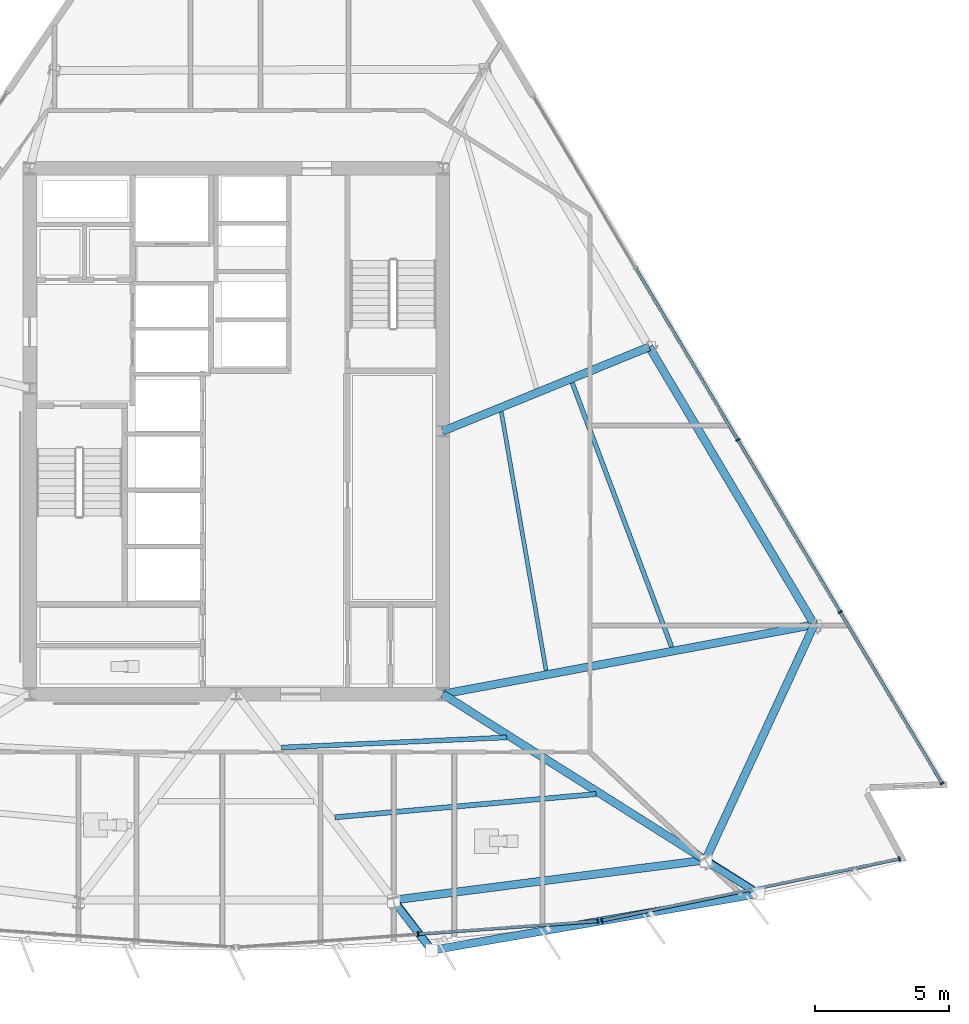
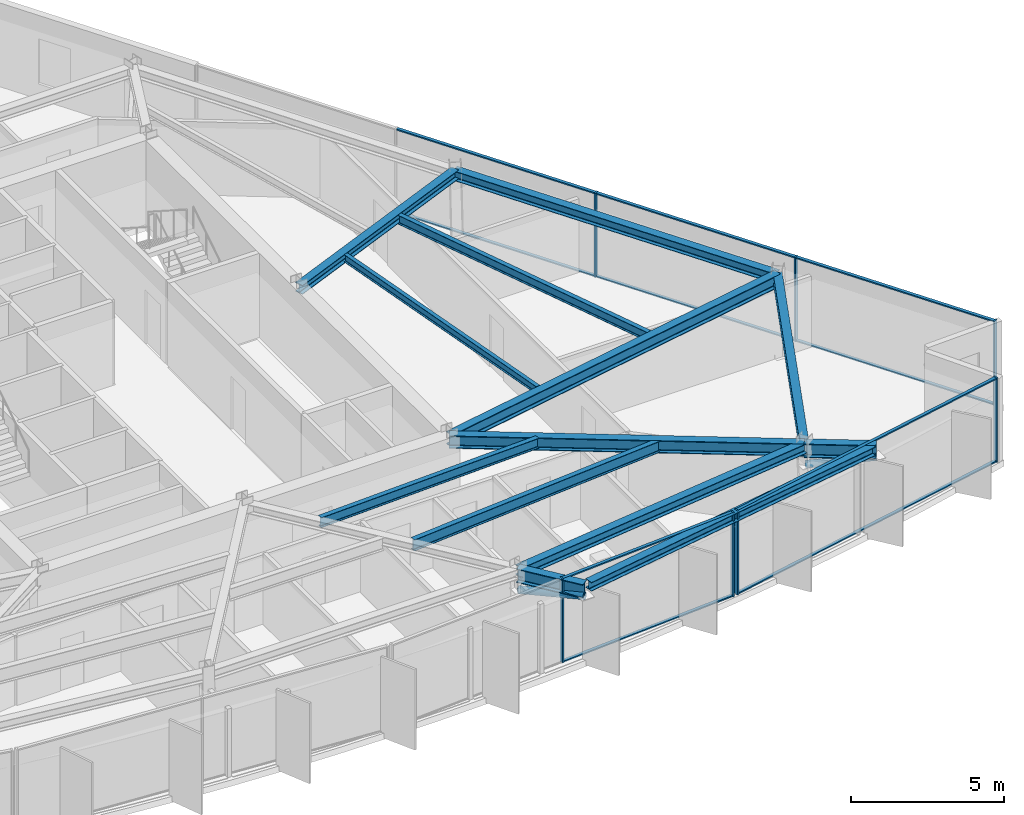
# One storey, part 5 of 15: 19 members, 13 beams, 3 elements without a shape of their own.
"""IFC4 building model written with IfcOpenShell, lengths in metres."""

from ifc_helpers import new_model, si_unit, direction, frame, origin, origin_2d, place, context, subcontext, project, spatial, rectangle, hollow_circle, i_section, extrude, material, material_profile, profile_set, type_object, element, aggregate, save


model = new_model("IFC4")

# Units and contexts
model_context = context("Model", 3, precision=1e-05, world=origin(), true_north=direction((0.0, 1.0)))
body_context = subcontext(model_context, "Body", "Model", "MODEL_VIEW")
ifc_project = project(units=[si_unit("LENGTHUNIT", "METRE"), si_unit("AREAUNIT", "SQUARE_METRE"), si_unit("VOLUMEUNIT", "CUBIC_METRE"), si_unit("PLANEANGLEUNIT", "RADIAN"), si_unit("MASSUNIT", "GRAM", prefix="KILO")], contexts=[model_context])

# Site, building, storey
site_placement = place(None, origin())
site = spatial("IfcSite", under=ifc_project, at=site_placement, CompositionType="ELEMENT")
building_placement = place(site_placement, origin())
building = spatial("IfcBuilding", under=site, at=building_placement, Name="Savorim Split Tower", CompositionType="ELEMENT")
storey_placement = place(building_placement, frame((0.0, 0.0, 167.39990234375)))
storey = spatial("IfcBuildingStorey", under=building, at=storey_placement, Name="L44", CompositionType="ELEMENT", Elevation=167.39990234375)

# Beams
ifc_material_1 = material(Name="Steel S355", Category="steel")
ifc_material_profile_1 = material_profile(ifc_material_1, i_section(OverallWidth=0.14990234375, OverallDepth=0.300048828125, WebThickness=0.007080078125, FlangeThickness=0.0107421875, FilletRadius=0.014892578125, at=origin_2d()), Name="IPE 300")
ifc_profile_set_1 = profile_set([ifc_material_profile_1], Name="Steel S355")
beam_type_1 = type_object("IfcBeamType", Name="BM-JST-IPE300", PredefinedType="JOIST", material=ifc_profile_set_1)
beam_1_placement = place(storey_placement, frame((11.55029296875, -8.51708984375, 3.2001953125), z_axis=(-0.170603874353, 0.985339696783, 0.0), x_axis=(-0.985339696783, -0.170603874353, 0.0)))
element("IfcBeam", 1, at=beam_1_placement, inside=storey, type_object=beam_type_1, Name="L44 Secondary Floor Joist JS-08", PredefinedType="JOIST", context=body_context, shape_type="SweptSolid", body=[
    extrude(i_section(OverallWidth=0.14990234375, OverallDepth=0.300048828125, WebThickness=0.007080078125, FlangeThickness=0.0107421875, FilletRadius=0.014892578125, at=origin_2d()), origin(), (0.0, 0.0, 1.0), 9.782470703125),
])
ifc_material_profile_2 = material_profile(ifc_material_1, i_section(OverallWidth=0.169921875, OverallDepth=0.360107421875, WebThickness=0.008056640625, FlangeThickness=0.0126953125, FilletRadius=0.01806640625, at=origin_2d()), Name="IPE 360")
ifc_profile_set_2 = profile_set([ifc_material_profile_2], Name="Steel S355")
beam_type_2 = type_object("IfcBeamType", Name="BM-JST-IPE360", PredefinedType="JOIST", material=ifc_profile_set_2)
beam_2_placement = place(storey_placement, frame((16.229736328125, -7.644287109375, 3.170166015625), z_axis=(-0.352199382133, 0.935924994444, 0.0), x_axis=(-0.935924994444, -0.352199382133, 0.0)))
element("IfcBeam", 2, at=beam_2_placement, inside=storey, type_object=beam_type_2, Name="L44 Secondary Floor Joist JS-06", PredefinedType="JOIST", context=body_context, shape_type="SweptSolid", body=[
    extrude(i_section(OverallWidth=0.169921875, OverallDepth=0.360107421875, WebThickness=0.008056640625, FlangeThickness=0.0126953125, FilletRadius=0.01806640625, at=origin_2d()), origin(), (0.0, 0.0, 1.0), 10.516357421875),
])
ifc_material_profile_3 = material_profile(ifc_material_1, i_section(OverallWidth=0.179931640625, OverallDepth=0.39990234375, WebThickness=0.008544921875, FlangeThickness=0.013427734375, FilletRadius=0.02099609375, at=origin_2d()), Name="IPE 400")
ifc_profile_set_3 = profile_set([ifc_material_profile_3], Name="Steel S355")
beam_type_3 = type_object("IfcBeamType", Name="BM-JST-IPE400", PredefinedType="JOIST", material=ifc_profile_set_3)
beam_3_placement = place(storey_placement, frame((1.68359375, -11.389404296875, 3.150146484375), z_axis=(0.999010541647, 0.044474011269, 0.0), x_axis=(-0.044474011269, 0.999010541647, 0.0)))
element("IfcBeam", 3, at=beam_3_placement, inside=storey, type_object=beam_type_3, Name="L44 Secondary Floor Joist JS-05", PredefinedType="JOIST", context=body_context, shape_type="SweptSolid", body=[
    extrude(i_section(OverallWidth=0.179931640625, OverallDepth=0.39990234375, WebThickness=0.008544921875, FlangeThickness=0.013427734375, FilletRadius=0.02099609375, at=origin_2d()), origin(), (0.0, 0.0, 1.0), 8.409912109375),
])
ifc_material_profile_4 = material_profile(ifc_material_1, i_section(OverallWidth=0.18994140625, OverallDepth=0.449951171875, WebThickness=0.009521484375, FlangeThickness=0.0146484375, FilletRadius=0.02099609375, at=origin_2d()), Name="IPE 450")
ifc_profile_set_4 = profile_set([ifc_material_profile_4], Name="Steel S355")
beam_type_4 = type_object("IfcBeamType", Name="BM-JST-IPE450", PredefinedType="JOIST", material=ifc_profile_set_4)
beam_4_placement = place(storey_placement, frame((3.67626953125, -13.992919921875, 3.125), z_axis=(0.996055737227, 0.088729748887, 0.0), x_axis=(-0.088729748887, 0.996055737227, 0.0)))
element("IfcBeam", 4, at=beam_4_placement, inside=storey, type_object=beam_type_4, Name="L44 Secondary Floor Joist JS-04", PredefinedType="JOIST", context=body_context, shape_type="SweptSolid", body=[
    extrude(i_section(OverallWidth=0.18994140625, OverallDepth=0.449951171875, WebThickness=0.009521484375, FlangeThickness=0.0146484375, FilletRadius=0.02099609375, at=origin_2d()), origin(), (0.0, 0.0, 1.0), 9.776123046875),
])
ifc_material_profile_5 = material_profile(ifc_material_1, i_section(OverallWidth=0.300048828125, OverallDepth=0.360107421875, WebThickness=0.012451171875, FlangeThickness=0.0224609375, FilletRadius=0.027099609375, at=origin_2d()), Name="HEB 360")
ifc_profile_set_5 = profile_set([ifc_material_profile_5], Name="Steel S355")
beam_type_5 = type_object("IfcBeamType", Name="BM-PRI-HEB360", PredefinedType="BEAM", material=ifc_profile_set_5)
beam_5_placement = place(storey_placement, frame((15.39306640625, 3.541748046875, 3.170166015625), z_axis=(-0.925771895464, -0.378082527458, 0.0), x_axis=(0.378082527458, -0.925771895464, 0.0)))
element("IfcBeam", 5, at=beam_5_placement, inside=storey, type_object=beam_type_5, Name="L44 Primary Floor Girder RG-06", PredefinedType="BEAM", context=body_context, shape_type="SweptSolid", body=[
    extrude(i_section(OverallWidth=0.300048828125, OverallDepth=0.360107421875, WebThickness=0.012451171875, FlangeThickness=0.0224609375, FilletRadius=0.027099609375, at=origin_2d()), origin(), (0.0, 0.0, 1.0), 8.31005859375),
])
ifc_material_profile_6 = material_profile(ifc_material_1, i_section(OverallWidth=0.300048828125, OverallDepth=0.5, WebThickness=0.014404296875, FlangeThickness=0.028076171875, FilletRadius=0.027099609375, at=origin_2d()), Name="HEB 500")
ifc_profile_set_6 = profile_set([ifc_material_profile_6], Name="Steel S355")
beam_type_6 = type_object("IfcBeamType", Name="BM-PRI-HEB500", PredefinedType="BEAM", material=ifc_profile_set_6)
beam_6_placement = place(storey_placement, frame((17.488525390625, -15.585693359375, 3.10009765625), z_axis=(-0.845351096755, 0.534211122325, 0.0), x_axis=(-0.534211122325, -0.845351096755, 0.0)))
element("IfcBeam", 6, at=beam_6_placement, inside=storey, type_object=beam_type_6, Name="L44 Primary Floor Girder RG-04", PredefinedType="BEAM", context=body_context, shape_type="SweptSolid", body=[
    extrude(i_section(OverallWidth=0.300048828125, OverallDepth=0.5, WebThickness=0.014404296875, FlangeThickness=0.028076171875, FilletRadius=0.027099609375, at=origin_2d()), origin(), (0.0, 0.0, 1.0), 11.579345703125),
])
beam_7_placement = place(storey_placement, frame((21.54833984375, -6.809814453125, 3.10009765625), z_axis=(-0.982955461943, -0.183843846337, 0.0), x_axis=(0.183843846337, -0.982955461943, 0.0)))
element("IfcBeam", 7, at=beam_7_placement, inside=storey, type_object=beam_type_6, Name="L44 Primary Floor Girder RG-05", PredefinedType="BEAM", context=body_context, shape_type="SweptSolid", body=[
    extrude(i_section(OverallWidth=0.300048828125, OverallDepth=0.5, WebThickness=0.014404296875, FlangeThickness=0.028076171875, FilletRadius=0.027099609375, at=origin_2d()), origin(), (0.0, 0.0, 1.0), 14.088623046875),
])
ifc_material_profile_7 = material_profile(ifc_material_1, i_section(OverallWidth=0.300048828125, OverallDepth=0.550048828125, WebThickness=0.014892578125, FlangeThickness=0.029052734375, FilletRadius=0.027099609375, at=origin_2d()), Name="HEB 550")
ifc_profile_set_7 = profile_set([ifc_material_profile_7], Name="Steel S355")
beam_type_7 = type_object("IfcBeamType", Name="BM-PRI-HEB550", PredefinedType="BEAM", material=ifc_profile_set_7)
beam_8_placement = place(storey_placement, frame((5.861328125, -17.07861328125, 3.0751953125), z_axis=(0.6067441562, -0.79489718135, 0.0), x_axis=(0.79489718135, 0.6067441562, 0.0)))
element("IfcBeam", 8, at=beam_8_placement, inside=storey, type_object=beam_type_7, Name="L44 Cantilevered Lounge Rib 1", PredefinedType="BEAM", context=body_context, shape_type="SweptSolid", body=[
    extrude(i_section(OverallWidth=0.300048828125, OverallDepth=0.550048828125, WebThickness=0.014892578125, FlangeThickness=0.029052734375, FilletRadius=0.027099609375, at=origin_2d()), origin(), (0.0, 0.0, 1.0), 2.349853515625),
])
beam_9_placement = place(storey_placement, frame((17.488525390625, -15.585693359375, 3.0751953125), z_axis=(0.845355567912, -0.534204046971, 0.0), x_axis=(0.534204046971, 0.845355567912, 0.0)))
element("IfcBeam", 9, at=beam_9_placement, inside=storey, type_object=beam_type_7, Name="L44 Cantilevered Lounge Rib 2", PredefinedType="BEAM", context=body_context, shape_type="SweptSolid", body=[
    extrude(i_section(OverallWidth=0.300048828125, OverallDepth=0.550048828125, WebThickness=0.014892578125, FlangeThickness=0.029052734375, FilletRadius=0.027099609375, at=origin_2d()), origin(), (0.0, 0.0, 1.0), 2.35009765625),
])
ifc_material_profile_8 = material_profile(ifc_material_1, i_section(OverallWidth=0.300048828125, OverallDepth=0.35009765625, WebThickness=0.010009765625, FlangeThickness=0.017578125, FilletRadius=0.027099609375, at=origin_2d()), Name="HEA 360")
ifc_profile_set_8 = profile_set([ifc_material_profile_8], Name="Steel S355")
beam_type_8 = type_object("IfcBeamType", Name="BM-SPN-HEA360", PredefinedType="SPANDREL", material=ifc_profile_set_8)
beam_10_placement = place(storey_placement, frame((7.44482421875, -18.919189453125, 3.175048828125), z_axis=(0.985407421126, 0.170212262748, 0.0), x_axis=(-0.170212262748, 0.985407421126, 0.0)))
element("IfcBeam", 10, at=beam_10_placement, inside=storey, type_object=beam_type_8, Name="L44 Cantilevered Lounge Front Edge Beam", PredefinedType="SPANDREL", context=body_context, shape_type="SweptSolid", body=[
    extrude(i_section(OverallWidth=0.300048828125, OverallDepth=0.35009765625, WebThickness=0.010009765625, FlangeThickness=0.017578125, FilletRadius=0.027099609375, at=origin_2d()), origin(), (0.0, 0.0, 1.0), 12.04833984375),
])
ifc_material_profile_9 = material_profile(ifc_material_1, i_section(OverallWidth=0.300048828125, OverallDepth=0.389892578125, WebThickness=0.010986328125, FlangeThickness=0.01904296875, FilletRadius=0.027099609375, at=origin_2d()), Name="HEA 400")
ifc_profile_set_9 = profile_set([ifc_material_profile_9], Name="Steel S355")
beam_type_9 = type_object("IfcBeamType", Name="BM-SPN-HEA400", PredefinedType="SPANDREL", material=ifc_profile_set_9)
beam_11_placement = place(storey_placement, frame((5.861328125, -17.07861328125, 3.155029296875), z_axis=(0.991857398579, 0.127353448657, 0.0), x_axis=(-0.127353448657, 0.991857398579, 0.0)))
element("IfcBeam", 11, at=beam_11_placement, inside=storey, type_object=beam_type_9, Name="L44 Perimeter Spandrel Beam 3", PredefinedType="SPANDREL", context=body_context, shape_type="SweptSolid", body=[
    extrude(i_section(OverallWidth=0.300048828125, OverallDepth=0.389892578125, WebThickness=0.010986328125, FlangeThickness=0.01904296875, FilletRadius=0.027099609375, at=origin_2d()), origin(), (0.0, 0.0, 1.0), 11.72265625),
])
beam_12_placement = place(storey_placement, frame((17.488525390625, -15.585693359375, 3.155029296875), z_axis=(0.419860182729, 0.907588798388, 0.0), x_axis=(-0.907588798388, 0.419860182729, 0.0)))
element("IfcBeam", 12, at=beam_12_placement, inside=storey, type_object=beam_type_9, Name="L44 Perimeter Spandrel Beam 4", PredefinedType="SPANDREL", context=body_context, shape_type="SweptSolid", body=[
    extrude(i_section(OverallWidth=0.300048828125, OverallDepth=0.389892578125, WebThickness=0.010986328125, FlangeThickness=0.01904296875, FilletRadius=0.027099609375, at=origin_2d()), origin(), (0.0, 0.0, 1.0), 9.66943359375),
])
beam_13_placement = place(storey_placement, frame((21.54833984375, -6.809814453125, 3.155029296875), z_axis=(-0.51109320309, 0.859525297915, 0.0), x_axis=(-0.859525297915, -0.51109320309, 0.0)))
element("IfcBeam", 13, at=beam_13_placement, inside=storey, type_object=beam_type_9, Name="L44 Perimeter Spandrel Beam 5", PredefinedType="SPANDREL", context=body_context, shape_type="SweptSolid", body=[
    extrude(i_section(OverallWidth=0.300048828125, OverallDepth=0.389892578125, WebThickness=0.010986328125, FlangeThickness=0.01904296875, FilletRadius=0.027099609375, at=origin_2d()), origin(), (0.0, 0.0, 1.0), 12.04345703125),
])

# Curtain wall, members
ifc_material_2 = material(Name="Dark Ceramic-Fritted Insulated Glass", Category="glass")
curtain_wall_type = type_object("IfcCurtainWallType", Name="CW-TWR-FRIT-B", PredefinedType="NOTDEFINED", material=ifc_material_2)
curtain_wall_1_placement = place(storey_placement, origin())
curtain_wall_1 = element("IfcCurtainWall", 14, at=curtain_wall_1_placement, inside=storey, type_object=curtain_wall_type, Name="L44 Curtain Wall CW-L44-SF3", PredefinedType="NOTDEFINED")
ifc_material_3 = material(Name="Charcoal Anodised Aluminium", Category="aluminium")
ifc_material_profile_10 = material_profile(ifc_material_3, rectangle(XDim=0.159912109375, YDim=0.06005859375, at=origin_2d()), Name="ALU-M 160x60")
ifc_profile_set_10 = profile_set([ifc_material_profile_10], Name="Charcoal Anodised Aluminium")
member_type_1 = type_object("IfcMemberType", Name="CWM-160x60", PredefinedType="MULLION", material=ifc_profile_set_10)
member_1_placement = place(storey_placement, frame((6.77685546875, -18.345458984375, 0.0), z_axis=(0.0, 0.0, 1.0), x_axis=(-0.071557434275, 0.997436480985, 0.0)))
member_1 = element("IfcMember", 15, at=member_1_placement, type_object=member_type_1, Name="CW-03 mullion 2", PredefinedType="MULLION", context=body_context, shape_type="SweptSolid", body=[
    extrude(rectangle(XDim=0.159912109375, YDim=0.06005859375, at=origin_2d()), origin(), (0.0, 0.0, 1.0), 3.35009765625),
])
member_2_placement = place(storey_placement, frame((13.472412109375, -17.865234375, 0.0), z_axis=(0.0, 0.0, 1.0), x_axis=(-0.071557434275, 0.997436480985, 0.0)))
member_2 = element("IfcMember", 16, at=member_2_placement, type_object=member_type_1, Name="CW-03 mullion 3", PredefinedType="MULLION", context=body_context, shape_type="SweptSolid", body=[
    extrude(rectangle(XDim=0.159912109375, YDim=0.06005859375, at=origin_2d()), origin(), (0.0, 0.0, 1.0), 3.35009765625),
])

curtain_wall_2_placement = place(storey_placement, origin())
curtain_wall_2 = element("IfcCurtainWall", 17, at=curtain_wall_2_placement, inside=storey, type_object=curtain_wall_type, Name="L44 Curtain Wall CW-L44-SF4", PredefinedType="NOTDEFINED")
member_3_placement = place(storey_placement, frame((13.634521484375, -17.842529296875, 0.0), z_axis=(0.0, 0.0, 1.0), x_axis=(-0.203214073497, 0.979134332118, 0.0)))
member_3 = element("IfcMember", 18, at=member_3_placement, type_object=member_type_1, Name="CW-03 mullion 1", PredefinedType="MULLION", context=body_context, shape_type="SweptSolid", body=[
    extrude(rectangle(XDim=0.159912109375, YDim=0.06005859375, at=origin_2d()), origin(), (0.0, 0.0, 1.0), 3.35009765625),
])
member_4_placement = place(storey_placement, frame((24.722900390625, -15.541259765625, 0.0), z_axis=(0.0, 0.0, 1.0), x_axis=(-0.203214073497, 0.979134332118, 0.0)))
member_4 = element("IfcMember", 19, at=member_4_placement, type_object=member_type_1, Name="CW-03 mullion 2", PredefinedType="MULLION", context=body_context, shape_type="SweptSolid", body=[
    extrude(rectangle(XDim=0.159912109375, YDim=0.06005859375, at=origin_2d()), origin(), (0.0, 0.0, 1.0), 3.35009765625),
])

curtain_wall_3_placement = place(storey_placement, origin())
curtain_wall_3 = element("IfcCurtainWall", 20, at=curtain_wall_3_placement, inside=storey, type_object=curtain_wall_type, Name="L44 Curtain Wall CW-L44-EAST", PredefinedType="NOTDEFINED")
member_5_placement = place(storey_placement, frame((26.31005859375, -12.7314453125, 0.0), z_axis=(0.0, 0.0, 1.0), x_axis=(-0.85952495128, -0.511093786039, 0.0)))
member_5 = element("IfcMember", 21, at=member_5_placement, type_object=member_type_1, Name="CW-03 mullion 1", PredefinedType="MULLION", context=body_context, shape_type="SweptSolid", body=[
    extrude(rectangle(XDim=0.159912109375, YDim=0.06005859375, at=origin_2d()), origin(), (0.0, 0.0, 1.0), 3.35009765625),
])
member_6_placement = place(storey_placement, frame((22.5107421875, -6.34228515625, 0.0), z_axis=(0.0, 0.0, 1.0), x_axis=(-0.85952495128, -0.511093786039, 0.0)))
member_6 = element("IfcMember", 22, at=member_6_placement, type_object=member_type_1, Name="CW-03 mullion 2", PredefinedType="MULLION", context=body_context, shape_type="SweptSolid", body=[
    extrude(rectangle(XDim=0.159912109375, YDim=0.06005859375, at=origin_2d()), origin(), (0.0, 0.0, 1.0), 3.35009765625),
])
member_7_placement = place(storey_placement, frame((18.6962890625, 0.07275390625, 0.0), z_axis=(0.0, 0.0, 1.0), x_axis=(-0.85952495128, -0.511093786039, 0.0)))
member_7 = element("IfcMember", 23, at=member_7_placement, type_object=member_type_1, Name="CW-03 mullion 3", PredefinedType="MULLION", context=body_context, shape_type="SweptSolid", body=[
    extrude(rectangle(XDim=0.159912109375, YDim=0.06005859375, at=origin_2d()), origin(), (0.0, 0.0, 1.0), 3.35009765625),
])

# Member
ifc_material_profile_11 = material_profile(ifc_material_3, rectangle(XDim=0.1201171875, YDim=0.050048828125, at=origin_2d()), Name="ALU-T 120x50")
ifc_profile_set_11 = profile_set([ifc_material_profile_11], Name="Charcoal Anodised Aluminium")
member_type_2 = type_object("IfcMemberType", Name="CWT-120x50", PredefinedType="USERDEFINED", material=ifc_profile_set_11)
member_8_placement = place(storey_placement, frame((6.806884765625, -18.34326171875, 0.025146484375), z_axis=(0.997436296968, 0.071559999231, 0.0), x_axis=(-0.071559999231, 0.997436296968, 0.0)))
member_8 = element("IfcMember", 24, at=member_8_placement, type_object=member_type_2, Name="CW-03 transom 2.1", ObjectType="TRANSOM", PredefinedType="USERDEFINED", context=body_context, shape_type="SweptSolid", body=[
    extrude(rectangle(XDim=0.1201171875, YDim=0.050048828125, at=origin_2d()), origin(), (0.0, 0.0, 1.0), 6.65283203125),
])

member_9_placement = place(storey_placement, frame((6.806884765625, -18.34326171875, 3.3251953125), z_axis=(0.997436296968, 0.071559999231, 0.0), x_axis=(-0.071559999231, 0.997436296968, 0.0)))
member_9 = element("IfcMember", 25, at=member_9_placement, type_object=member_type_2, Name="CW-03 transom 2.2", ObjectType="TRANSOM", PredefinedType="USERDEFINED", context=body_context, shape_type="SweptSolid", body=[
    extrude(rectangle(XDim=0.1201171875, YDim=0.050048828125, at=origin_2d()), origin(), (0.0, 0.0, 1.0), 6.65283203125),
])

aggregate(curtain_wall_1, [member_1, member_2, member_8, member_9])

member_10_placement = place(storey_placement, frame((13.6640625, -17.83642578125, 0.025146484375), z_axis=(0.979134488415, 0.203213320422, 0.0), x_axis=(-0.203213320422, 0.979134488415, 0.0)))
member_10 = element("IfcMember", 26, at=member_10_placement, type_object=member_type_2, Name="CW-03 transom 1.1", ObjectType="TRANSOM", PredefinedType="USERDEFINED", context=body_context, shape_type="SweptSolid", body=[
    extrude(rectangle(XDim=0.1201171875, YDim=0.050048828125, at=origin_2d()), origin(), (0.0, 0.0, 1.0), 11.264404296875),
])

member_11_placement = place(storey_placement, frame((13.6640625, -17.83642578125, 3.3251953125), z_axis=(0.979134488415, 0.203213320422, 0.0), x_axis=(-0.203213320422, 0.979134488415, 0.0)))
member_11 = element("IfcMember", 27, at=member_11_placement, type_object=member_type_2, Name="CW-03 transom 1.2", ObjectType="TRANSOM", PredefinedType="USERDEFINED", context=body_context, shape_type="SweptSolid", body=[
    extrude(rectangle(XDim=0.1201171875, YDim=0.050048828125, at=origin_2d()), origin(), (0.0, 0.0, 1.0), 11.264404296875),
])

aggregate(curtain_wall_2, [member_3, member_4, member_10, member_11])

member_12_placement = place(storey_placement, frame((26.294677734375, -12.70556640625, 0.025146484375), z_axis=(-0.511097871575, 0.859522521911, 0.0), x_axis=(-0.859522521911, -0.511097871575, 0.0)))
member_12 = element("IfcMember", 28, at=member_12_placement, type_object=member_type_2, Name="CW-03 transom 1.1", ObjectType="TRANSOM", PredefinedType="USERDEFINED", context=body_context, shape_type="SweptSolid", body=[
    extrude(rectangle(XDim=0.1201171875, YDim=0.050048828125, at=origin_2d()), origin(), (0.0, 0.0, 1.0), 7.37353515625),
])

member_13_placement = place(storey_placement, frame((26.294677734375, -12.70556640625, 3.3251953125), z_axis=(-0.511097871575, 0.859522521911, 0.0), x_axis=(-0.859522521911, -0.511097871575, 0.0)))
member_13 = element("IfcMember", 29, at=member_13_placement, type_object=member_type_2, Name="CW-03 transom 1.2", ObjectType="TRANSOM", PredefinedType="USERDEFINED", context=body_context, shape_type="SweptSolid", body=[
    extrude(rectangle(XDim=0.1201171875, YDim=0.050048828125, at=origin_2d()), origin(), (0.0, 0.0, 1.0), 7.37353515625),
])

member_14_placement = place(storey_placement, frame((22.495361328125, -6.31640625, 0.025146484375), z_axis=(-0.511072759011, 0.859537454098, 0.0), x_axis=(-0.859537454098, -0.511072759011, 0.0)))
member_14 = element("IfcMember", 30, at=member_14_placement, type_object=member_type_2, Name="CW-03 transom 2.1", ObjectType="TRANSOM", PredefinedType="USERDEFINED", context=body_context, shape_type="SweptSolid", body=[
    extrude(rectangle(XDim=0.1201171875, YDim=0.050048828125, at=origin_2d()), origin(), (0.0, 0.0, 1.0), 7.4033203125),
])

member_15_placement = place(storey_placement, frame((22.495361328125, -6.31640625, 3.3251953125), z_axis=(-0.511072759011, 0.859537454098, 0.0), x_axis=(-0.859537454098, -0.511072759011, 0.0)))
member_15 = element("IfcMember", 31, at=member_15_placement, type_object=member_type_2, Name="CW-03 transom 2.2", ObjectType="TRANSOM", PredefinedType="USERDEFINED", context=body_context, shape_type="SweptSolid", body=[
    extrude(rectangle(XDim=0.1201171875, YDim=0.050048828125, at=origin_2d()), origin(), (0.0, 0.0, 1.0), 7.4033203125),
])

member_16_placement = place(storey_placement, frame((18.680908203125, 0.0986328125, 0.025146484375), z_axis=(-0.511097121727, 0.859522967792, 0.0), x_axis=(-0.859522967792, -0.511097121727, 0.0)))
member_16 = element("IfcMember", 32, at=member_16_placement, type_object=member_type_2, Name="CW-03 transom 3.1", ObjectType="TRANSOM", PredefinedType="USERDEFINED", context=body_context, shape_type="SweptSolid", body=[
    extrude(rectangle(XDim=0.1201171875, YDim=0.050048828125, at=origin_2d()), origin(), (0.0, 0.0, 1.0), 7.403564453125),
])

member_17_placement = place(storey_placement, frame((18.680908203125, 0.0986328125, 3.3251953125), z_axis=(-0.511097121727, 0.859522967792, 0.0), x_axis=(-0.859522967792, -0.511097121727, 0.0)))
member_17 = element("IfcMember", 33, at=member_17_placement, type_object=member_type_2, Name="CW-03 transom 3.2", ObjectType="TRANSOM", PredefinedType="USERDEFINED", context=body_context, shape_type="SweptSolid", body=[
    extrude(rectangle(XDim=0.1201171875, YDim=0.050048828125, at=origin_2d()), origin(), (0.0, 0.0, 1.0), 7.403564453125),
])

aggregate(curtain_wall_3, [member_5, member_6, member_7, member_12, member_13, member_14, member_15, member_16, member_17])

# Members
ifc_material_profile_12 = material_profile(ifc_material_1, hollow_circle(Radius=0.136474609375, WallThickness=0.01611328125, at=origin_2d()), Name="CHS 273x16")
ifc_profile_set_12 = profile_set([ifc_material_profile_12], Name="Steel S355")
member_type_3 = type_object("IfcMemberType", Name="MBR-CRN-CHS273", PredefinedType="BRACE", material=ifc_profile_set_12)
member_18_placement = place(storey_placement, frame((5.869140625, -17.118896484375, 2.4501953125), z_axis=(0.605301264237, -0.78017996971, 0.157891083905), x_axis=(0.790090442681, 0.612990287349, 0.0)))
element("IfcMember", 34, at=member_18_placement, inside=storey, type_object=member_type_3, Name="L44 Cantilevered Bay Support Strut 1", PredefinedType="BRACE", context=body_context, shape_type="SweptSolid", body=[
    extrude(hollow_circle(Radius=0.136474609375, WallThickness=0.01611328125, at=origin_2d()), origin(), (0.0, 0.0, 1.0), 2.342529296875),
])
member_19_placement = place(storey_placement, frame((17.51220703125, -15.6240234375, 2.4501953125), z_axis=(0.839199744063, -0.520324716934, 0.158132787594), x_axis=(0.526954940102, 0.849893223354, 0.0)))
element("IfcMember", 35, at=member_19_placement, inside=storey, type_object=member_type_3, Name="L44 Cantilevered Bay Support Strut 2", PredefinedType="BRACE", context=body_context, shape_type="SweptSolid", body=[
    extrude(hollow_circle(Radius=0.136474609375, WallThickness=0.01611328125, at=origin_2d()), origin(), (0.0, 0.0, 1.0), 2.339111328125),
])

save(model, "model.ifc")
